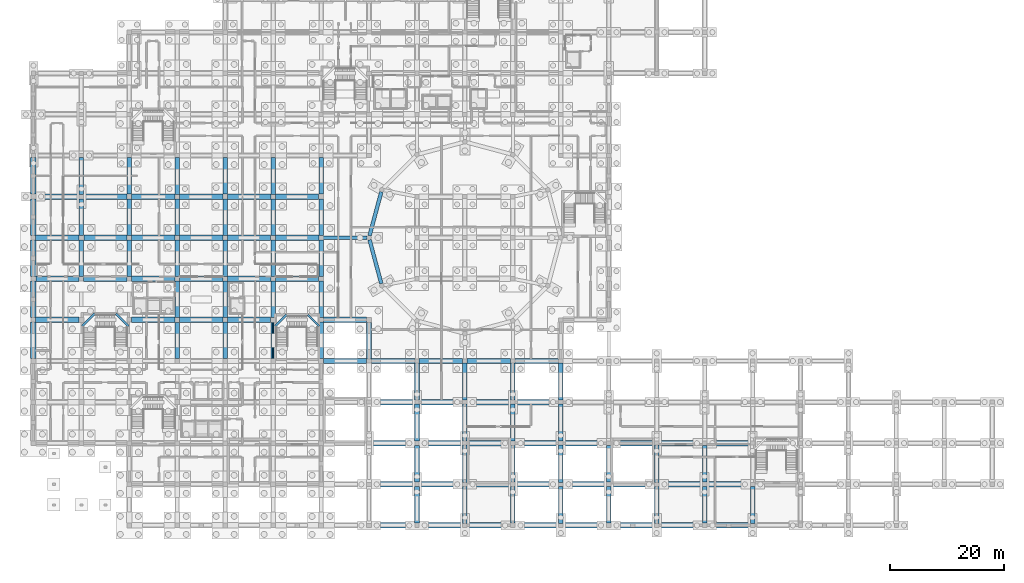
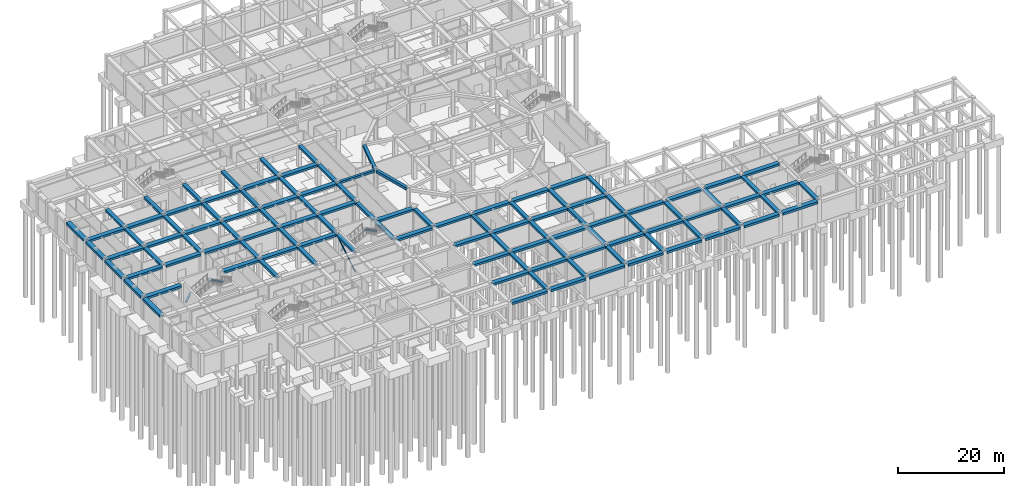
# One storey, part 11 of 32: 118 beams, 1 member.
"""IFC4 building model written with IfcOpenShell, lengths in metres."""

from ifc_helpers import new_model, si_unit, derived_unit, direction, frame, origin, origin_2d, place, context, subcontext, project, spatial, rectangle, hollow_circle, extrude, material, material_profile, profile_set, type_object, element, save


model = new_model("IFC4")

# Units and contexts
model_context = context("Model", 3, precision=1e-05, world=origin(), true_north=direction((0.0, 1.0)))
body_context = subcontext(model_context, "Body", "Model", "MODEL_VIEW")
ifc_project = project(units=[si_unit("LENGTHUNIT", "METRE"), si_unit("AREAUNIT", "SQUARE_METRE"), si_unit("VOLUMEUNIT", "CUBIC_METRE"), si_unit("PLANEANGLEUNIT", "RADIAN"), si_unit("MASSUNIT", "GRAM", prefix="KILO"), derived_unit("THERMALTRANSMITTANCEUNIT", [(si_unit("POWERUNIT", "WATT"), 1), (si_unit("LENGTHUNIT", "METRE"), -2), (si_unit("THERMODYNAMICTEMPERATUREUNIT", "KELVIN"), -1)])], contexts=[model_context])

# Site, building, storey
site_placement = place(None, origin())
site = spatial("IfcSite", under=ifc_project, at=site_placement, CompositionType="ELEMENT")
building_placement = place(site_placement, origin())
building = spatial("IfcBuilding", under=site, at=building_placement, Name="Veybourne Emporium", CompositionType="ELEMENT")
storey_placement = place(building_placement, frame((0.0, 0.0, -5.39990234375)))
storey = spatial("IfcBuildingStorey", under=building, at=storey_placement, Name="B1", CompositionType="ELEMENT", Elevation=-5.39990234375)

# Beams
ifc_material_1 = material(Name="Concrete C32/40", Category="concrete")
ifc_material_profile_1 = material_profile(ifc_material_1, rectangle(XDim=0.35009765625, YDim=0.35009765625, at=origin_2d()), Name="RC 350x350")
ifc_profile_set_1 = profile_set([ifc_material_profile_1], Name="Concrete C32/40")
beam_type_1 = type_object("IfcBeamType", Name="LandingBeam_LB-01", PredefinedType="BEAM", material=ifc_profile_set_1)
for number, where, z_axis, x_axis, name in (
    (1, (8.550048828125, 34.919921875, 1.4248046875), (0.707067186216, 0.70714637394, 0.0), (-0.70714637394, 0.707067186216, 0.0), "B1 ST-02 landing 1 support beam"),
    (2, (14.469970703125, 37.10009765625, 3.224853515625), (0.707067186216, -0.70714637394, 0.0), (0.70714637394, 0.707067186216, 0.0), "B1 ST-02 landing 2 support beam"),
):
    element("IfcBeam", number, at=place(storey_placement, frame(where, z_axis=z_axis, x_axis=x_axis)), inside=storey, type_object=beam_type_1, Name=name, PredefinedType="BEAM", context=body_context, shape_type="SweptSolid", body=[
        extrude(rectangle(XDim=0.35009765625, YDim=0.35009765625, at=origin_2d()), origin(), (0.0, 0.0, 1.0), 3.0830078125),
    ])
for number, where, z_axis, x_axis, name in (
    (3, (42.35009765625, 34.919921875, 1.4248046875), (0.707106781187, 0.707106781187, 0.0), (-0.707106781187, 0.707106781187, 0.0), "B1 ST-05 landing 1 support beam"),
    (4, (48.070068359375, 36.89990234375, 3.224853515625), (0.707106781187, -0.707106781187, 0.0), (0.707106781187, 0.707106781187, 0.0), "B1 ST-05 landing 2 support beam"),
):
    element("IfcBeam", number, at=place(storey_placement, frame(where, z_axis=z_axis, x_axis=x_axis)), inside=storey, type_object=beam_type_1, Name=name, PredefinedType="BEAM", context=body_context, shape_type="SweptSolid", body=[
        extrude(rectangle(XDim=0.35009765625, YDim=0.35009765625, at=origin_2d()), origin(), (0.0, 0.0, 1.0), 2.800048828125),
    ])
ifc_material_profile_2 = material_profile(ifc_material_1, rectangle(XDim=0.949951171875, YDim=0.5, at=origin_2d()), Name="RC 950x500")
ifc_profile_set_2 = profile_set([ifc_material_profile_2], Name="Concrete C32/40")
beam_type_2 = type_object("IfcBeamType", Name="RCBeam_BB-01", PredefinedType="BEAM", material=ifc_profile_set_2)
beam_1_placement = place(storey_placement, frame((0.39990234375, 36.0, 4.7998046875), z_axis=(1.0, 0.0, 0.0), x_axis=(0.0, 1.0, 0.0)))
element("IfcBeam", 5, at=beam_1_placement, inside=storey, type_object=beam_type_2, Name="B1 X-grid beam BB-01 (0,5)", PredefinedType="BEAM", context=body_context, shape_type="SweptSolid", body=[
    extrude(rectangle(XDim=0.949951171875, YDim=0.5, at=origin_2d()), origin(), (0.0, 0.0, 1.0), 7.5751953125),
])
beam_2_placement = place(storey_placement, frame((0.425048828125, 43.199951171875, 4.7998046875), z_axis=(1.0, 0.0, 0.0), x_axis=(0.0, 1.0, 0.0)))
element("IfcBeam", 6, at=beam_2_placement, inside=storey, type_object=beam_type_2, Name="B1 X-grid beam BB-01 (0,6)", PredefinedType="BEAM", context=body_context, shape_type="SweptSolid", body=[
    extrude(rectangle(XDim=0.949951171875, YDim=0.5, at=origin_2d()), origin(), (0.0, 0.0, 1.0), 7.574951171875),
])
beam_3_placement = place(storey_placement, frame((0.39990234375, 50.39990234375, 4.7998046875), z_axis=(1.0, 0.0, 0.0), x_axis=(0.0, 1.0, 0.0)))
element("IfcBeam", 7, at=beam_3_placement, inside=storey, type_object=beam_type_2, Name="B1 X-grid beam BB-01 (0,7)", PredefinedType="BEAM", context=body_context, shape_type="SweptSolid", body=[
    extrude(rectangle(XDim=0.949951171875, YDim=0.5, at=origin_2d()), origin(), (0.0, 0.0, 1.0), 7.5751953125),
])
for number, where, z_axis, x_axis, name in (
    (8, (0.425048828125, 57.60009765625, 4.7998046875), (1.0, 0.0, 0.0), (0.0, 1.0, 0.0), "B1 X-grid beam BB-01 (0,8)"),
    (9, (8.800048828125, 43.199951171875, 4.7998046875), (1.0, 0.0, 0.0), (0.0, 1.0, 0.0), "B1 X-grid beam BB-01 (1,6)"),
    (10, (8.824951171875, 50.39990234375, 4.7998046875), (1.0, 0.0, 0.0), (0.0, 1.0, 0.0), "B1 X-grid beam BB-01 (1,7)"),
    (11, (8.800048828125, 57.60009765625, 4.7998046875), (1.0, 0.0, 0.0), (0.0, 1.0, 0.0), "B1 X-grid beam BB-01 (1,8)"),
    (12, (17.199951171875, 36.0, 4.7998046875), (1.0, 0.0, 0.0), (0.0, 1.0, 0.0), "B1 X-grid beam BB-01 (2,5)"),
    (13, (17.22509765625, 43.199951171875, 4.7998046875), (1.0, 0.0, 0.0), (0.0, 1.0, 0.0), "B1 X-grid beam BB-01 (2,6)"),
    (14, (17.199951171875, 50.39990234375, 4.7998046875), (1.0, 0.0, 0.0), (0.0, 1.0, 0.0), "B1 X-grid beam BB-01 (2,7)"),
    (15, (17.22509765625, 57.60009765625, 4.7998046875), (1.0, 0.0, 0.0), (0.0, 1.0, 0.0), "B1 X-grid beam BB-01 (2,8)"),
    (16, (25.625, 36.0, 4.7998046875), (1.0, 0.0, 0.0), (0.0, 1.0, 0.0), "B1 X-grid beam BB-01 (3,5)"),
    (17, (25.60009765625, 43.199951171875, 4.7998046875), (1.0, 0.0, 0.0), (0.0, 1.0, 0.0), "B1 X-grid beam BB-01 (3,6)"),
    (18, (25.625, 50.39990234375, 4.7998046875), (1.0, 0.0, 0.0), (0.0, 1.0, 0.0), "B1 X-grid beam BB-01 (3,7)"),
    (19, (25.60009765625, 57.60009765625, 4.7998046875), (1.0, 0.0, 0.0), (0.0, 1.0, 0.0), "B1 X-grid beam BB-01 (3,8)"),
    (20, (34.0, 36.0, 4.7998046875), (1.0, 0.0, 0.0), (0.0, 1.0, 0.0), "B1 X-grid beam BB-01 (4,5)"),
):
    element("IfcBeam", number, at=place(storey_placement, frame(where, z_axis=z_axis, x_axis=x_axis)), inside=storey, type_object=beam_type_2, Name=name, PredefinedType="BEAM", context=body_context, shape_type="SweptSolid", body=[
        extrude(rectangle(XDim=0.949951171875, YDim=0.5, at=origin_2d()), origin(), (0.0, 0.0, 1.0), 7.574951171875),
    ])
beam_4_placement = place(storey_placement, frame((34.02490234375, 43.199951171875, 4.7998046875), z_axis=(1.0, 0.0, 0.0), x_axis=(0.0, 1.0, 0.0)))
element("IfcBeam", 21, at=beam_4_placement, inside=storey, type_object=beam_type_2, Name="B1 X-grid beam BB-01 (4,6)", PredefinedType="BEAM", context=body_context, shape_type="SweptSolid", body=[
    extrude(rectangle(XDim=0.949951171875, YDim=0.5, at=origin_2d()), origin(), (0.0, 0.0, 1.0), 7.5751953125),
])
beam_5_placement = place(storey_placement, frame((34.0, 50.39990234375, 4.7998046875), z_axis=(1.0, 0.0, 0.0), x_axis=(0.0, 1.0, 0.0)))
element("IfcBeam", 22, at=beam_5_placement, inside=storey, type_object=beam_type_2, Name="B1 X-grid beam BB-01 (4,7)", PredefinedType="BEAM", context=body_context, shape_type="SweptSolid", body=[
    extrude(rectangle(XDim=0.949951171875, YDim=0.5, at=origin_2d()), origin(), (0.0, 0.0, 1.0), 7.574951171875),
])
for number, where, z_axis, x_axis, name in (
    (23, (34.02490234375, 57.60009765625, 4.7998046875), (1.0, 0.0, 0.0), (0.0, 1.0, 0.0), "B1 X-grid beam BB-01 (4,8)"),
    (24, (42.39990234375, 43.199951171875, 4.7998046875), (1.0, 0.0, 0.0), (0.0, 1.0, 0.0), "B1 X-grid beam BB-01 (5,6)"),
):
    element("IfcBeam", number, at=place(storey_placement, frame(where, z_axis=z_axis, x_axis=x_axis)), inside=storey, type_object=beam_type_2, Name=name, PredefinedType="BEAM", context=body_context, shape_type="SweptSolid", body=[
        extrude(rectangle(XDim=0.949951171875, YDim=0.5, at=origin_2d()), origin(), (0.0, 0.0, 1.0), 7.5751953125),
    ])
beam_6_placement = place(storey_placement, frame((42.425048828125, 50.39990234375, 4.7998046875), z_axis=(1.0, 0.0, 0.0), x_axis=(0.0, 1.0, 0.0)))
element("IfcBeam", 25, at=beam_6_placement, inside=storey, type_object=beam_type_2, Name="B1 X-grid beam BB-01 (5,7)", PredefinedType="BEAM", context=body_context, shape_type="SweptSolid", body=[
    extrude(rectangle(XDim=0.949951171875, YDim=0.5, at=origin_2d()), origin(), (0.0, 0.0, 1.0), 7.574951171875),
])
beam_7_placement = place(storey_placement, frame((42.39990234375, 57.60009765625, 4.7998046875), z_axis=(1.0, 0.0, 0.0), x_axis=(0.0, 1.0, 0.0)))
element("IfcBeam", 26, at=beam_7_placement, inside=storey, type_object=beam_type_2, Name="B1 X-grid beam BB-01 (5,8)", PredefinedType="BEAM", context=body_context, shape_type="SweptSolid", body=[
    extrude(rectangle(XDim=0.949951171875, YDim=0.5, at=origin_2d()), origin(), (0.0, 0.0, 1.0), 7.5751953125),
])
for number, where, z_axis, x_axis, name in (
    (27, (50.824951171875, 28.800048828125, 4.7998046875), (1.0, 0.0, 0.0), (0.0, 1.0, 0.0), "B1 X-grid beam BB-01 (6,4)"),
    (28, (50.800048828125, 36.0, 4.7998046875), (1.0, 0.0, 0.0), (0.0, 1.0, 0.0), "B1 X-grid beam BB-01 (6,5)"),
):
    element("IfcBeam", number, at=place(storey_placement, frame(where, z_axis=z_axis, x_axis=x_axis)), inside=storey, type_object=beam_type_2, Name=name, PredefinedType="BEAM", context=body_context, shape_type="SweptSolid", body=[
        extrude(rectangle(XDim=0.949951171875, YDim=0.5, at=origin_2d()), origin(), (0.0, 0.0, 1.0), 7.574951171875),
    ])
for number, where, z_axis, x_axis, name in (
    (29, (59.199951171875, 7.199951171875, 4.7998046875), (1.0, 0.0, 0.0), (0.0, 1.0, 0.0), "B1 X-grid beam BB-01 (7,1)"),
    (30, (59.199951171875, 14.39990234375, 4.7998046875), (1.0, 0.0, 0.0), (0.0, 1.0, 0.0), "B1 X-grid beam BB-01 (7,2)"),
    (31, (59.199951171875, 21.60009765625, 4.7998046875), (1.0, 0.0, 0.0), (0.0, 1.0, 0.0), "B1 X-grid beam BB-01 (7,3)"),
    (32, (59.199951171875, 28.800048828125, 4.7998046875), (1.0, 0.0, 0.0), (0.0, 1.0, 0.0), "B1 X-grid beam BB-01 (7,4)"),
    (33, (67.574951171875, 7.199951171875, 4.7998046875), (1.0, 0.0, 0.0), (0.0, 1.0, 0.0), "B1 X-grid beam BB-01 (8,1)"),
    (34, (67.574951171875, 14.39990234375, 4.7998046875), (1.0, 0.0, 0.0), (0.0, 1.0, 0.0), "B1 X-grid beam BB-01 (8,2)"),
    (35, (67.574951171875, 21.60009765625, 4.7998046875), (1.0, 0.0, 0.0), (0.0, 1.0, 0.0), "B1 X-grid beam BB-01 (8,3)"),
    (36, (67.574951171875, 28.800048828125, 4.7998046875), (1.0, 0.0, 0.0), (0.0, 1.0, 0.0), "B1 X-grid beam BB-01 (8,4)"),
    (37, (76.0, 7.199951171875, 4.7998046875), (1.0, 0.0, 0.0), (0.0, 1.0, 0.0), "B1 X-grid beam BB-01 (9,1)"),
    (38, (76.0, 14.39990234375, 4.7998046875), (1.0, 0.0, 0.0), (0.0, 1.0, 0.0), "B1 X-grid beam BB-01 (9,2)"),
    (39, (76.0, 21.60009765625, 4.7998046875), (1.0, 0.0, 0.0), (0.0, 1.0, 0.0), "B1 X-grid beam BB-01 (9,3)"),
    (40, (76.0, 28.800048828125, 4.7998046875), (1.0, 0.0, 0.0), (0.0, 1.0, 0.0), "B1 X-grid beam BB-01 (9,4)"),
    (41, (84.375, 7.199951171875, 4.7998046875), (1.0, 0.0, 0.0), (0.0, 1.0, 0.0), "B1 X-grid beam BB-01 (10,1)"),
    (42, (84.375, 14.39990234375, 4.7998046875), (1.0, 0.0, 0.0), (0.0, 1.0, 0.0), "B1 X-grid beam BB-01 (10,2)"),
    (43, (84.375, 21.60009765625, 4.7998046875), (1.0, 0.0, 0.0), (0.0, 1.0, 0.0), "B1 X-grid beam BB-01 (10,3)"),
    (44, (84.375, 28.800048828125, 4.7998046875), (1.0, 0.0, 0.0), (0.0, 1.0, 0.0), "B1 X-grid beam BB-01 (10,4)"),
    (45, (92.800048828125, 7.199951171875, 4.7998046875), (1.0, 0.0, 0.0), (0.0, 1.0, 0.0), "B1 X-grid beam BB-01 (11,1)"),
    (46, (92.800048828125, 14.39990234375, 4.7998046875), (1.0, 0.0, 0.0), (0.0, 1.0, 0.0), "B1 X-grid beam BB-01 (11,2)"),
    (47, (101.175048828125, 7.199951171875, 4.7998046875), (1.0, 0.0, 0.0), (0.0, 1.0, 0.0), "B1 X-grid beam BB-01 (12,1)"),
    (48, (101.175048828125, 14.39990234375, 4.7998046875), (1.0, 0.0, 0.0), (0.0, 1.0, 0.0), "B1 X-grid beam BB-01 (12,2)"),
    (49, (109.60009765625, 7.199951171875, 4.7998046875), (1.0, 0.0, 0.0), (0.0, 1.0, 0.0), "B1 X-grid beam BB-01 (13,1)"),
    (50, (109.60009765625, 14.39990234375, 4.7998046875), (1.0, 0.0, 0.0), (0.0, 1.0, 0.0), "B1 X-grid beam BB-01 (13,2)"),
    (51, (117.97509765625, 7.199951171875, 4.7998046875), (1.0, 0.0, 0.0), (0.0, 1.0, 0.0), "B1 X-grid beam BB-01 (14,1)"),
    (52, (117.97509765625, 14.39990234375, 4.7998046875), (1.0, 0.0, 0.0), (0.0, 1.0, 0.0), "B1 X-grid beam BB-01 (14,2)"),
):
    element("IfcBeam", number, at=place(storey_placement, frame(where, z_axis=z_axis, x_axis=x_axis)), inside=storey, type_object=beam_type_2, Name=name, PredefinedType="BEAM", context=body_context, shape_type="SweptSolid", body=[
        extrude(rectangle(XDim=0.949951171875, YDim=0.5, at=origin_2d()), origin(), (0.0, 0.0, 1.0), 7.625),
    ])
ifc_material_profile_3 = material_profile(ifc_material_1, rectangle(XDim=0.800048828125, YDim=0.5, at=origin_2d()), Name="RC 800x500")
ifc_profile_set_3 = profile_set([ifc_material_profile_3], Name="Concrete C32/40")
beam_type_3 = type_object("IfcBeamType", Name="RCBeam_BB-02", PredefinedType="BEAM", material=ifc_profile_set_3)
for number, where, z_axis, x_axis, name in (
    (53, (8.39990234375, 43.60009765625, 4.7998046875), (0.0, 1.0, 0.0), (-1.0, 0.0, 0.0), "B1 Y-grid beam BB-02 (1,6)"),
    (54, (8.39990234375, 50.824951171875, 4.7998046875), (0.0, 1.0, 0.0), (-1.0, 0.0, 0.0), "B1 Y-grid beam BB-02 (1,7)"),
):
    element("IfcBeam", number, at=place(storey_placement, frame(where, z_axis=z_axis, x_axis=x_axis)), inside=storey, type_object=beam_type_3, Name=name, PredefinedType="BEAM", context=body_context, shape_type="SweptSolid", body=[
        extrude(rectangle(XDim=0.800048828125, YDim=0.5, at=origin_2d()), origin(), (0.0, 0.0, 1.0), 6.375),
    ])
beam_8_placement = place(storey_placement, frame((8.39990234375, 58.0, 4.7998046875), z_axis=(0.0, 1.0, 0.0), x_axis=(-1.0, 0.0, 0.0)))
element("IfcBeam", 55, at=beam_8_placement, inside=storey, type_object=beam_type_3, Name="B1 Y-grid beam BB-02 (1,8)", PredefinedType="BEAM", context=body_context, shape_type="SweptSolid", body=[
    extrude(rectangle(XDim=0.800048828125, YDim=0.5, at=origin_2d()), origin(), (0.0, 0.0, 1.0), 6.449951171875),
])
for number, where, z_axis, x_axis, name in (
    (56, (16.800048828125, 43.625, 4.7998046875), (0.0, 1.0, 0.0), (-1.0, 0.0, 0.0), "B1 Y-grid beam BB-02 (2,6)"),
    (57, (16.800048828125, 50.800048828125, 4.7998046875), (0.0, 1.0, 0.0), (-1.0, 0.0, 0.0), "B1 Y-grid beam BB-02 (2,7)"),
):
    element("IfcBeam", number, at=place(storey_placement, frame(where, z_axis=z_axis, x_axis=x_axis)), inside=storey, type_object=beam_type_3, Name=name, PredefinedType="BEAM", context=body_context, shape_type="SweptSolid", body=[
        extrude(rectangle(XDim=0.800048828125, YDim=0.5, at=origin_2d()), origin(), (0.0, 0.0, 1.0), 6.375),
    ])
beam_9_placement = place(storey_placement, frame((16.800048828125, 58.02490234375, 4.7998046875), z_axis=(0.0, 1.0, 0.0), x_axis=(-1.0, 0.0, 0.0)))
element("IfcBeam", 58, at=beam_9_placement, inside=storey, type_object=beam_type_3, Name="B1 Y-grid beam BB-02 (2,8)", PredefinedType="BEAM", context=body_context, shape_type="SweptSolid", body=[
    extrude(rectangle(XDim=0.800048828125, YDim=0.5, at=origin_2d()), origin(), (0.0, 0.0, 1.0), 6.400146484375),
])
for number, where, z_axis, x_axis, name in (
    (59, (25.199951171875, 29.199951171875, 4.7998046875), (0.0, 1.0, 0.0), (-1.0, 0.0, 0.0), "B1 Y-grid beam BB-02 (3,4)"),
    (60, (25.199951171875, 36.425048828125, 4.7998046875), (0.0, 1.0, 0.0), (-1.0, 0.0, 0.0), "B1 Y-grid beam BB-02 (3,5)"),
    (61, (25.199951171875, 43.60009765625, 4.7998046875), (0.0, 1.0, 0.0), (-1.0, 0.0, 0.0), "B1 Y-grid beam BB-02 (3,6)"),
    (62, (25.199951171875, 50.824951171875, 4.7998046875), (0.0, 1.0, 0.0), (-1.0, 0.0, 0.0), "B1 Y-grid beam BB-02 (3,7)"),
):
    element("IfcBeam", number, at=place(storey_placement, frame(where, z_axis=z_axis, x_axis=x_axis)), inside=storey, type_object=beam_type_3, Name=name, PredefinedType="BEAM", context=body_context, shape_type="SweptSolid", body=[
        extrude(rectangle(XDim=0.800048828125, YDim=0.5, at=origin_2d()), origin(), (0.0, 0.0, 1.0), 6.375),
    ])
beam_10_placement = place(storey_placement, frame((25.199951171875, 58.0, 4.7998046875), z_axis=(0.0, 1.0, 0.0), x_axis=(-1.0, 0.0, 0.0)))
element("IfcBeam", 63, at=beam_10_placement, inside=storey, type_object=beam_type_3, Name="B1 Y-grid beam BB-02 (3,8)", PredefinedType="BEAM", context=body_context, shape_type="SweptSolid", body=[
    extrude(rectangle(XDim=0.800048828125, YDim=0.5, at=origin_2d()), origin(), (0.0, 0.0, 1.0), 6.449951171875),
])
for number, where, z_axis, x_axis, name in (
    (64, (33.60009765625, 29.22509765625, 4.7998046875), (0.0, 1.0, 0.0), (-1.0, 0.0, 0.0), "B1 Y-grid beam BB-02 (4,4)"),
    (65, (33.60009765625, 36.39990234375, 4.7998046875), (0.0, 1.0, 0.0), (-1.0, 0.0, 0.0), "B1 Y-grid beam BB-02 (4,5)"),
    (66, (33.60009765625, 43.625, 4.7998046875), (0.0, 1.0, 0.0), (-1.0, 0.0, 0.0), "B1 Y-grid beam BB-02 (4,6)"),
    (67, (33.60009765625, 50.800048828125, 4.7998046875), (0.0, 1.0, 0.0), (-1.0, 0.0, 0.0), "B1 Y-grid beam BB-02 (4,7)"),
):
    element("IfcBeam", number, at=place(storey_placement, frame(where, z_axis=z_axis, x_axis=x_axis)), inside=storey, type_object=beam_type_3, Name=name, PredefinedType="BEAM", context=body_context, shape_type="SweptSolid", body=[
        extrude(rectangle(XDim=0.800048828125, YDim=0.5, at=origin_2d()), origin(), (0.0, 0.0, 1.0), 6.375),
    ])
beam_11_placement = place(storey_placement, frame((33.60009765625, 58.02490234375, 4.7998046875), z_axis=(0.0, 1.0, 0.0), x_axis=(-1.0, 0.0, 0.0)))
element("IfcBeam", 68, at=beam_11_placement, inside=storey, type_object=beam_type_3, Name="B1 Y-grid beam BB-02 (4,8)", PredefinedType="BEAM", context=body_context, shape_type="SweptSolid", body=[
    extrude(rectangle(XDim=0.800048828125, YDim=0.5, at=origin_2d()), origin(), (0.0, 0.0, 1.0), 6.400146484375),
])
for number, where, z_axis, x_axis, name in (
    (69, (42.0, 29.199951171875, 4.7998046875), (0.0, 1.0, 0.0), (-1.0, 0.0, 0.0), "B1 Y-grid beam BB-02 (5,4)"),
    (70, (42.0, 36.425048828125, 4.7998046875), (0.0, 1.0, 0.0), (-1.0, 0.0, 0.0), "B1 Y-grid beam BB-02 (5,5)"),
    (71, (42.0, 43.60009765625, 4.7998046875), (0.0, 1.0, 0.0), (-1.0, 0.0, 0.0), "B1 Y-grid beam BB-02 (5,6)"),
    (72, (42.0, 50.824951171875, 4.7998046875), (0.0, 1.0, 0.0), (-1.0, 0.0, 0.0), "B1 Y-grid beam BB-02 (5,7)"),
):
    element("IfcBeam", number, at=place(storey_placement, frame(where, z_axis=z_axis, x_axis=x_axis)), inside=storey, type_object=beam_type_3, Name=name, PredefinedType="BEAM", context=body_context, shape_type="SweptSolid", body=[
        extrude(rectangle(XDim=0.800048828125, YDim=0.5, at=origin_2d()), origin(), (0.0, 0.0, 1.0), 6.375),
    ])
beam_12_placement = place(storey_placement, frame((42.0, 58.0, 4.7998046875), z_axis=(0.0, 1.0, 0.0), x_axis=(-1.0, 0.0, 0.0)))
element("IfcBeam", 73, at=beam_12_placement, inside=storey, type_object=beam_type_3, Name="B1 Y-grid beam BB-02 (5,8)", PredefinedType="BEAM", context=body_context, shape_type="SweptSolid", body=[
    extrude(rectangle(XDim=0.800048828125, YDim=0.5, at=origin_2d()), origin(), (0.0, 0.0, 1.0), 6.449951171875),
])
for number, where, z_axis, x_axis, name in (
    (74, (50.39990234375, 29.22509765625, 4.7998046875), (0.0, 1.0, 0.0), (-1.0, 0.0, 0.0), "B1 Y-grid beam BB-02 (6,4)"),
    (75, (50.39990234375, 36.39990234375, 4.7998046875), (0.0, 1.0, 0.0), (-1.0, 0.0, 0.0), "B1 Y-grid beam BB-02 (6,5)"),
    (76, (50.39990234375, 43.625, 4.7998046875), (0.0, 1.0, 0.0), (-1.0, 0.0, 0.0), "B1 Y-grid beam BB-02 (6,6)"),
    (77, (50.39990234375, 50.800048828125, 4.7998046875), (0.0, 1.0, 0.0), (-1.0, 0.0, 0.0), "B1 Y-grid beam BB-02 (6,7)"),
):
    element("IfcBeam", number, at=place(storey_placement, frame(where, z_axis=z_axis, x_axis=x_axis)), inside=storey, type_object=beam_type_3, Name=name, PredefinedType="BEAM", context=body_context, shape_type="SweptSolid", body=[
        extrude(rectangle(XDim=0.800048828125, YDim=0.5, at=origin_2d()), origin(), (0.0, 0.0, 1.0), 6.375),
    ])
beam_13_placement = place(storey_placement, frame((50.39990234375, 58.02490234375, 4.7998046875), z_axis=(0.0, 1.0, 0.0), x_axis=(-1.0, 0.0, 0.0)))
element("IfcBeam", 78, at=beam_13_placement, inside=storey, type_object=beam_type_3, Name="B1 Y-grid beam BB-02 (6,8)", PredefinedType="BEAM", context=body_context, shape_type="SweptSolid", body=[
    extrude(rectangle(XDim=0.800048828125, YDim=0.5, at=origin_2d()), origin(), (0.0, 0.0, 1.0), 6.400146484375),
])
beam_14_placement = place(storey_placement, frame((58.800048828125, 29.14990234375, 4.7998046875), z_axis=(0.0, 1.0, 0.0), x_axis=(-1.0, 0.0, 0.0)))
element("IfcBeam", 79, at=beam_14_placement, inside=storey, type_object=beam_type_3, Name="B1 Y-grid beam BB-02 (7,4)", PredefinedType="BEAM", context=body_context, shape_type="SweptSolid", body=[
    extrude(rectangle(XDim=0.800048828125, YDim=0.5, at=origin_2d()), origin(), (0.0, 0.0, 1.0), 6.425048828125),
])
for number, where, z_axis, x_axis, name in (
    (80, (67.199951171875, 0.375, 4.7998046875), (0.0, 1.0, 0.0), (-1.0, 0.0, 0.0), "B1 Y-grid beam BB-02 (8,0)"),
    (81, (67.199951171875, 7.574951171875, 4.7998046875), (0.0, 1.0, 0.0), (-1.0, 0.0, 0.0), "B1 Y-grid beam BB-02 (8,1)"),
):
    element("IfcBeam", number, at=place(storey_placement, frame(where, z_axis=z_axis, x_axis=x_axis)), inside=storey, type_object=beam_type_3, Name=name, PredefinedType="BEAM", context=body_context, shape_type="SweptSolid", body=[
        extrude(rectangle(XDim=0.800048828125, YDim=0.5, at=origin_2d()), origin(), (0.0, 0.0, 1.0), 6.449951171875),
    ])
beam_15_placement = place(storey_placement, frame((67.199951171875, 14.77490234375, 4.7998046875), z_axis=(0.0, 1.0, 0.0), x_axis=(-1.0, 0.0, 0.0)))
element("IfcBeam", 82, at=beam_15_placement, inside=storey, type_object=beam_type_3, Name="B1 Y-grid beam BB-02 (8,2)", PredefinedType="BEAM", context=body_context, shape_type="SweptSolid", body=[
    extrude(rectangle(XDim=0.800048828125, YDim=0.5, at=origin_2d()), origin(), (0.0, 0.0, 1.0), 6.4501953125),
])
beam_16_placement = place(storey_placement, frame((67.199951171875, 21.97509765625, 4.7998046875), z_axis=(0.0, 1.0, 0.0), x_axis=(-1.0, 0.0, 0.0)))
element("IfcBeam", 83, at=beam_16_placement, inside=storey, type_object=beam_type_3, Name="B1 Y-grid beam BB-02 (8,3)", PredefinedType="BEAM", context=body_context, shape_type="SweptSolid", body=[
    extrude(rectangle(XDim=0.800048828125, YDim=0.5, at=origin_2d()), origin(), (0.0, 0.0, 1.0), 6.449951171875),
])
for number, where, z_axis, x_axis, name in (
    (84, (75.60009765625, 0.35009765625, 4.7998046875), (0.0, 1.0, 0.0), (-1.0, 0.0, 0.0), "B1 Y-grid beam BB-02 (9,0)"),
    (85, (75.60009765625, 7.550048828125, 4.7998046875), (0.0, 1.0, 0.0), (-1.0, 0.0, 0.0), "B1 Y-grid beam BB-02 (9,1)"),
    (86, (75.60009765625, 14.75, 4.7998046875), (0.0, 1.0, 0.0), (-1.0, 0.0, 0.0), "B1 Y-grid beam BB-02 (9,2)"),
    (87, (75.60009765625, 21.949951171875, 4.7998046875), (0.0, 1.0, 0.0), (-1.0, 0.0, 0.0), "B1 Y-grid beam BB-02 (9,3)"),
):
    element("IfcBeam", number, at=place(storey_placement, frame(where, z_axis=z_axis, x_axis=x_axis)), inside=storey, type_object=beam_type_3, Name=name, PredefinedType="BEAM", context=body_context, shape_type="SweptSolid", body=[
        extrude(rectangle(XDim=0.800048828125, YDim=0.5, at=origin_2d()), origin(), (0.0, 0.0, 1.0), 6.5),
    ])
for number, where, z_axis, x_axis, name in (
    (88, (84.0, 0.375, 4.7998046875), (0.0, 1.0, 0.0), (-1.0, 0.0, 0.0), "B1 Y-grid beam BB-02 (10,0)"),
    (89, (84.0, 7.574951171875, 4.7998046875), (0.0, 1.0, 0.0), (-1.0, 0.0, 0.0), "B1 Y-grid beam BB-02 (10,1)"),
):
    element("IfcBeam", number, at=place(storey_placement, frame(where, z_axis=z_axis, x_axis=x_axis)), inside=storey, type_object=beam_type_3, Name=name, PredefinedType="BEAM", context=body_context, shape_type="SweptSolid", body=[
        extrude(rectangle(XDim=0.800048828125, YDim=0.5, at=origin_2d()), origin(), (0.0, 0.0, 1.0), 6.449951171875),
    ])
beam_17_placement = place(storey_placement, frame((84.0, 14.77490234375, 4.7998046875), z_axis=(0.0, 1.0, 0.0), x_axis=(-1.0, 0.0, 0.0)))
element("IfcBeam", 90, at=beam_17_placement, inside=storey, type_object=beam_type_3, Name="B1 Y-grid beam BB-02 (10,2)", PredefinedType="BEAM", context=body_context, shape_type="SweptSolid", body=[
    extrude(rectangle(XDim=0.800048828125, YDim=0.5, at=origin_2d()), origin(), (0.0, 0.0, 1.0), 6.4501953125),
])
beam_18_placement = place(storey_placement, frame((84.0, 21.97509765625, 4.7998046875), z_axis=(0.0, 1.0, 0.0), x_axis=(-1.0, 0.0, 0.0)))
element("IfcBeam", 91, at=beam_18_placement, inside=storey, type_object=beam_type_3, Name="B1 Y-grid beam BB-02 (10,3)", PredefinedType="BEAM", context=body_context, shape_type="SweptSolid", body=[
    extrude(rectangle(XDim=0.800048828125, YDim=0.5, at=origin_2d()), origin(), (0.0, 0.0, 1.0), 6.449951171875),
])
for number, where, z_axis, x_axis, name in (
    (92, (92.39990234375, 0.35009765625, 4.7998046875), (0.0, 1.0, 0.0), (-1.0, 0.0, 0.0), "B1 Y-grid beam BB-02 (11,0)"),
    (93, (92.39990234375, 7.550048828125, 4.7998046875), (0.0, 1.0, 0.0), (-1.0, 0.0, 0.0), "B1 Y-grid beam BB-02 (11,1)"),
    (94, (92.39990234375, 14.75, 4.7998046875), (0.0, 1.0, 0.0), (-1.0, 0.0, 0.0), "B1 Y-grid beam BB-02 (11,2)"),
    (95, (92.39990234375, 21.949951171875, 4.7998046875), (0.0, 1.0, 0.0), (-1.0, 0.0, 0.0), "B1 Y-grid beam BB-02 (11,3)"),
):
    element("IfcBeam", number, at=place(storey_placement, frame(where, z_axis=z_axis, x_axis=x_axis)), inside=storey, type_object=beam_type_3, Name=name, PredefinedType="BEAM", context=body_context, shape_type="SweptSolid", body=[
        extrude(rectangle(XDim=0.800048828125, YDim=0.5, at=origin_2d()), origin(), (0.0, 0.0, 1.0), 6.5),
    ])
for number, where, z_axis, x_axis, name in (
    (96, (100.800048828125, 0.375, 4.7998046875), (0.0, 1.0, 0.0), (-1.0, 0.0, 0.0), "B1 Y-grid beam BB-02 (12,0)"),
    (97, (100.800048828125, 7.574951171875, 4.7998046875), (0.0, 1.0, 0.0), (-1.0, 0.0, 0.0), "B1 Y-grid beam BB-02 (12,1)"),
):
    element("IfcBeam", number, at=place(storey_placement, frame(where, z_axis=z_axis, x_axis=x_axis)), inside=storey, type_object=beam_type_3, Name=name, PredefinedType="BEAM", context=body_context, shape_type="SweptSolid", body=[
        extrude(rectangle(XDim=0.800048828125, YDim=0.5, at=origin_2d()), origin(), (0.0, 0.0, 1.0), 6.449951171875),
    ])
for number, where, z_axis, x_axis, name in (
    (98, (109.199951171875, 0.35009765625, 4.7998046875), (0.0, 1.0, 0.0), (-1.0, 0.0, 0.0), "B1 Y-grid beam BB-02 (13,0)"),
    (99, (109.199951171875, 7.550048828125, 4.7998046875), (0.0, 1.0, 0.0), (-1.0, 0.0, 0.0), "B1 Y-grid beam BB-02 (13,1)"),
):
    element("IfcBeam", number, at=place(storey_placement, frame(where, z_axis=z_axis, x_axis=x_axis)), inside=storey, type_object=beam_type_3, Name=name, PredefinedType="BEAM", context=body_context, shape_type="SweptSolid", body=[
        extrude(rectangle(XDim=0.800048828125, YDim=0.5, at=origin_2d()), origin(), (0.0, 0.0, 1.0), 6.5),
    ])
for number, where, z_axis, x_axis, name in (
    (100, (117.60009765625, 0.375, 4.7998046875), (0.0, 1.0, 0.0), (-1.0, 0.0, 0.0), "B1 Y-grid beam BB-02 (14,0)"),
    (101, (117.60009765625, 7.574951171875, 4.7998046875), (0.0, 1.0, 0.0), (-1.0, 0.0, 0.0), "B1 Y-grid beam BB-02 (14,1)"),
):
    element("IfcBeam", number, at=place(storey_placement, frame(where, z_axis=z_axis, x_axis=x_axis)), inside=storey, type_object=beam_type_3, Name=name, PredefinedType="BEAM", context=body_context, shape_type="SweptSolid", body=[
        extrude(rectangle(XDim=0.800048828125, YDim=0.5, at=origin_2d()), origin(), (0.0, 0.0, 1.0), 6.449951171875),
    ])
beam_19_placement = place(storey_placement, frame((126.0, 0.35009765625, 4.7998046875), z_axis=(0.0, 1.0, 0.0), x_axis=(-1.0, 0.0, 0.0)))
element("IfcBeam", 102, at=beam_19_placement, inside=storey, type_object=beam_type_3, Name="B1 Y-grid beam BB-02 (15,0)", PredefinedType="BEAM", context=body_context, shape_type="SweptSolid", body=[
    extrude(rectangle(XDim=0.800048828125, YDim=0.5, at=origin_2d()), origin(), (0.0, 0.0, 1.0), 6.5),
])
ifc_material_profile_4 = material_profile(ifc_material_1, rectangle(XDim=0.949951171875, YDim=0.550048828125, at=origin_2d()), Name="RC 950x550")
ifc_profile_set_4 = profile_set([ifc_material_profile_4], Name="Concrete C32/40")
beam_type_4 = type_object("IfcBeamType", Name="RCBeam_EB-01", PredefinedType="SPANDREL", material=ifc_profile_set_4)
for number, where, z_axis, x_axis, name in (
    (103, (59.199951171875, 0.0, 4.77490234375), (1.0, 0.0, 0.0), (0.0, 1.0, 0.0), "B1 X-grid beam EB-01 (7,0)"),
    (104, (67.574951171875, 0.0, 4.77490234375), (1.0, 0.0, 0.0), (0.0, 1.0, 0.0), "B1 X-grid beam EB-01 (8,0)"),
    (105, (76.0, 0.0, 4.77490234375), (1.0, 0.0, 0.0), (0.0, 1.0, 0.0), "B1 X-grid beam EB-01 (9,0)"),
    (106, (84.375, 0.0, 4.77490234375), (1.0, 0.0, 0.0), (0.0, 1.0, 0.0), "B1 X-grid beam EB-01 (10,0)"),
    (107, (92.800048828125, 0.0, 4.77490234375), (1.0, 0.0, 0.0), (0.0, 1.0, 0.0), "B1 X-grid beam EB-01 (11,0)"),
    (108, (101.175048828125, 0.0, 4.77490234375), (1.0, 0.0, 0.0), (0.0, 1.0, 0.0), "B1 X-grid beam EB-01 (12,0)"),
    (109, (109.60009765625, 0.0, 4.77490234375), (1.0, 0.0, 0.0), (0.0, 1.0, 0.0), "B1 X-grid beam EB-01 (13,0)"),
    (110, (117.97509765625, 0.0, 4.77490234375), (1.0, 0.0, 0.0), (0.0, 1.0, 0.0), "B1 X-grid beam EB-01 (14,0)"),
):
    element("IfcBeam", number, at=place(storey_placement, frame(where, z_axis=z_axis, x_axis=x_axis)), inside=storey, type_object=beam_type_4, Name=name, PredefinedType="SPANDREL", context=body_context, shape_type="SweptSolid", body=[
        extrude(rectangle(XDim=0.949951171875, YDim=0.550048828125, at=origin_2d()), origin(), (0.0, 0.0, 1.0), 7.625),
    ])
for number, where, z_axis, x_axis, name in (
    (111, (0.0, 29.22509765625, 4.77490234375), (0.0, 1.0, 0.0), (-1.0, 0.0, 0.0), "B1 Y-grid beam EB-01 (0,4)"),
    (112, (0.0, 36.39990234375, 4.77490234375), (0.0, 1.0, 0.0), (-1.0, 0.0, 0.0), "B1 Y-grid beam EB-01 (0,5)"),
    (113, (0.0, 43.625, 4.77490234375), (0.0, 1.0, 0.0), (-1.0, 0.0, 0.0), "B1 Y-grid beam EB-01 (0,6)"),
    (114, (0.0, 50.800048828125, 4.77490234375), (0.0, 1.0, 0.0), (-1.0, 0.0, 0.0), "B1 Y-grid beam EB-01 (0,7)"),
):
    element("IfcBeam", number, at=place(storey_placement, frame(where, z_axis=z_axis, x_axis=x_axis)), inside=storey, type_object=beam_type_4, Name=name, PredefinedType="SPANDREL", context=body_context, shape_type="SweptSolid", body=[
        extrude(rectangle(XDim=0.949951171875, YDim=0.550048828125, at=origin_2d()), origin(), (0.0, 0.0, 1.0), 6.375),
    ])
beam_20_placement = place(storey_placement, frame((0.0, 58.02490234375, 4.77490234375), z_axis=(0.0, 1.0, 0.0), x_axis=(-1.0, 0.0, 0.0)))
element("IfcBeam", 115, at=beam_20_placement, inside=storey, type_object=beam_type_4, Name="B1 Y-grid beam EB-01 (0,8)", PredefinedType="SPANDREL", context=body_context, shape_type="SweptSolid", body=[
    extrude(rectangle(XDim=0.949951171875, YDim=0.550048828125, at=origin_2d()), origin(), (0.0, 0.0, 1.0), 6.400146484375),
])
ifc_material_profile_5 = material_profile(ifc_material_1, rectangle(XDim=0.64990234375, YDim=0.60009765625, at=origin_2d()), Name="RC 650x600")
ifc_profile_set_5 = profile_set([ifc_material_profile_5], Name="Concrete C32/40")
beam_type_5 = type_object("IfcBeamType", Name="RCBeam_EB-02", PredefinedType="BEAM", material=ifc_profile_set_5)
beam_21_placement = place(storey_placement, frame((60.952392578125, 58.432861328125, 4.75), z_axis=(-0.258809381222, -0.965928415666, 0.0), x_axis=(0.965928415666, -0.258809381222, 0.0)))
element("IfcBeam", 116, at=beam_21_placement, inside=storey, type_object=beam_type_5, Name="Atrium ring beam EB-02 B1-06", PredefinedType="BEAM", context=body_context, shape_type="SweptSolid", body=[
    extrude(rectangle(XDim=0.64990234375, YDim=0.60009765625, at=origin_2d()), origin(), (0.0, 0.0, 1.0), 7.936279296875),
])
beam_22_placement = place(storey_placement, frame((58.8984375, 50.032958984375, 4.75), z_axis=(0.258801690951, -0.965930476153, 0.0), x_axis=(0.965930476153, 0.258801690951, 0.0)))
element("IfcBeam", 117, at=beam_22_placement, inside=storey, type_object=beam_type_5, Name="Atrium ring beam EB-02 B1-07", PredefinedType="BEAM", context=body_context, shape_type="SweptSolid", body=[
    extrude(rectangle(XDim=0.64990234375, YDim=0.60009765625, at=origin_2d()), origin(), (0.0, 0.0, 1.0), 7.9365234375),
])
ifc_material_profile_6 = material_profile(ifc_material_1, rectangle(XDim=0.550048828125, YDim=0.5, at=origin_2d()), Name="RC 550x500")
ifc_profile_set_6 = profile_set([ifc_material_profile_6], Name="Concrete C32/40")
beam_type_6 = type_object("IfcBeamType", Name="RCBeam_TB-01", PredefinedType="BEAM", material=ifc_profile_set_6)
beam_23_placement = place(storey_placement, frame((58.4599609375, 50.39990234375, 4.7998046875), z_axis=(-1.0, 0.0, 0.0), x_axis=(0.0, -1.0, 0.0)))
element("IfcBeam", 118, at=beam_23_placement, inside=storey, type_object=beam_type_6, Name="Atrium radial tie beam B1-07", PredefinedType="BEAM", context=body_context, shape_type="SweptSolid", body=[
    extrude(rectangle(XDim=0.550048828125, YDim=0.5, at=origin_2d()), origin(), (0.0, 0.0, 1.0), 7.719970703125),
])

# Member
ifc_material_2 = material(Name="Steel S355", Category="steel")
ifc_material_profile_7 = material_profile(ifc_material_2, hollow_circle(Radius=0.084228515625, WallThickness=0.008056640625, at=origin_2d()), Name="CHS 168.3x8.0")
ifc_profile_set_7 = profile_set([ifc_material_profile_7], Name="Steel S355")
member_type = type_object("IfcMemberType", Name="SteelMem_DB-01", PredefinedType="BRACE", material=ifc_profile_set_7)
member_placement = place(storey_placement, frame((42.0, 29.02001953125, 0.25), z_axis=(0.0, 0.849410206889, 0.527733171624), x_axis=(-1.0, 0.0, 0.0)))
element("IfcMember", 119, at=member_placement, inside=storey, type_object=member_type, Name="Internal lateral frame brace DB-01.02 (B1)", PredefinedType="BRACE", context=body_context, shape_type="SweptSolid", body=[
    extrude(hollow_circle(Radius=0.084228515625, WallThickness=0.008056640625, at=origin_2d()), origin(), (0.0, 0.0, 1.0), 7.95849609375),
])

save(model, "model.ifc")
